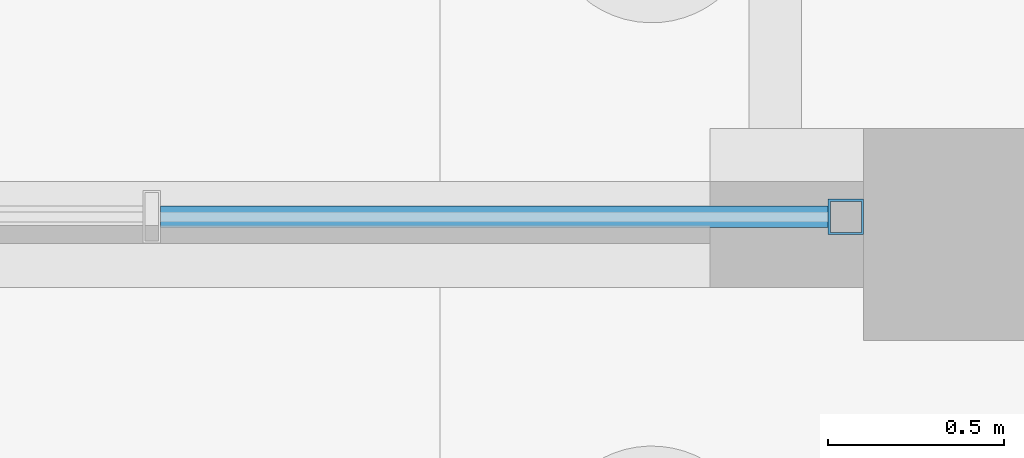
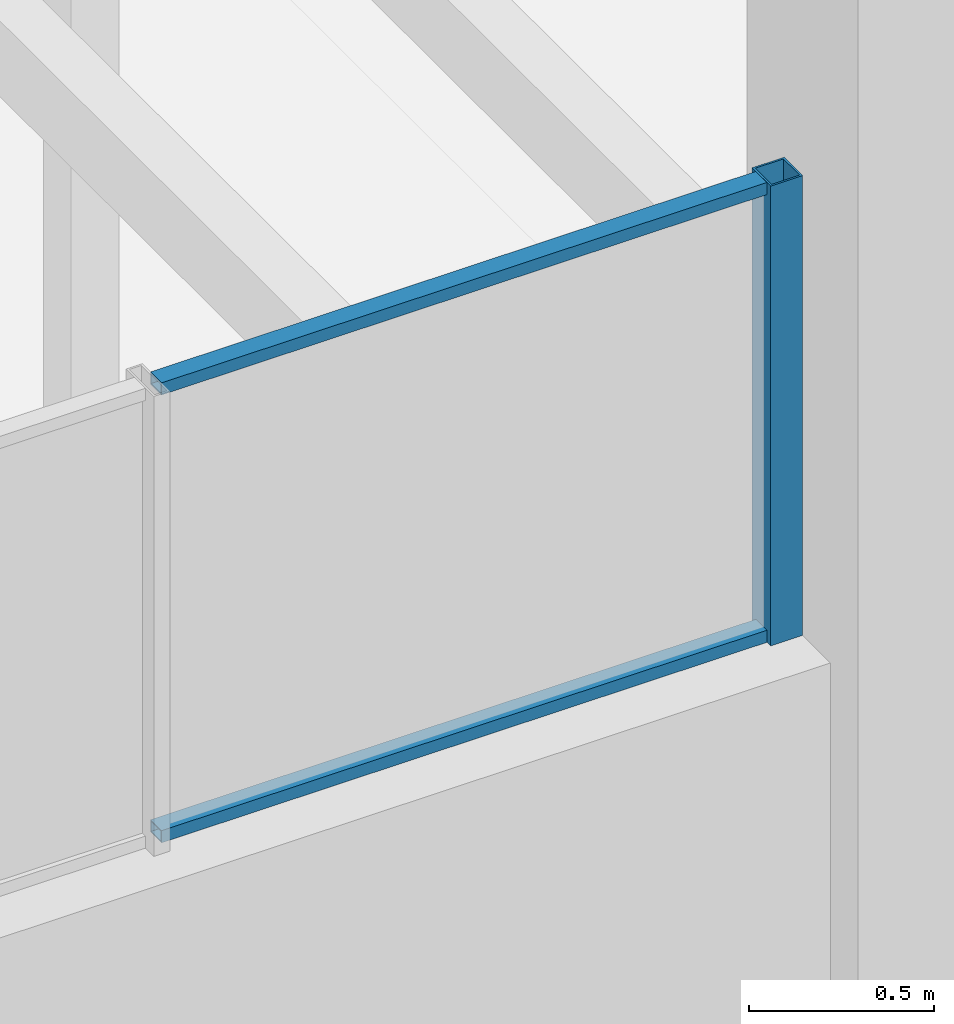
# One storey, part 57 of 129: 3 members, 1 element without a shape of its own.
"""IFC4 building model written with IfcOpenShell, lengths in metres."""

from ifc_helpers import new_model, si_unit, direction, frame, origin, origin_2d, place, context, subcontext, project, spatial, hollow_rectangle, extrude, material, layer, layer_set, material_profile, profile_set, type_object, element, aggregate, save


model = new_model("IFC4")

# Units and contexts
model_context = context("Model", 3, precision=1e-05, world=origin(), true_north=direction((0.0, 1.0)))
body_context = subcontext(model_context, "Body", "Model", "MODEL_VIEW")
ifc_project = project(units=[si_unit("LENGTHUNIT", "METRE"), si_unit("AREAUNIT", "SQUARE_METRE"), si_unit("VOLUMEUNIT", "CUBIC_METRE"), si_unit("PLANEANGLEUNIT", "RADIAN"), si_unit("MASSUNIT", "GRAM", prefix="KILO")], contexts=[model_context])

# Site, building, storey
site_placement = place(None, origin())
site = spatial("IfcSite", under=ifc_project, at=site_placement, CompositionType="ELEMENT")
building_placement = place(site_placement, origin())
building = spatial("IfcBuilding", under=site, at=building_placement, Name="Shirokan Park Arena", CompositionType="ELEMENT")
storey_placement = place(building_placement, origin())
storey = spatial("IfcBuildingStorey", under=building, at=storey_placement, Name="L00", CompositionType="ELEMENT", Elevation=0.0)

# Curtain wall, members
ifc_material_1 = material(Name="Steel and glass curtain wall", Category="steel")
ifc_layer = layer(ifc_material_1, 0.199951171875)
ifc_layer_set = layer_set([ifc_layer], Name="Steel and glass curtain wall 200 mm")
curtain_wall_type = type_object("IfcCurtainWallType", Name="Curtain wall shopfront bay 200", PredefinedType="NOTDEFINED", material=ifc_layer_set)
curtain_wall_placement = place(storey_placement, origin())
curtain_wall = element("IfcCurtainWall", 1, at=curtain_wall_placement, inside=storey, type_object=curtain_wall_type, Name="Curtain wall north bay 8 L00 clerestory 1", PredefinedType="NOTDEFINED")
ifc_material_2 = material(Name="Steel S355", Category="steel")
ifc_material_profile_1 = material_profile(ifc_material_2, hollow_rectangle(XDim=0.10009765625, YDim=0.10009765625, WallThickness=0.006103515625, at=origin_2d()), Name="RHS 100x100x6")
ifc_profile_set_1 = profile_set([ifc_material_profile_1], Name="Steel S355")
member_type_1 = type_object("IfcMemberType", Name="Mullion RHS 100x100x6", PredefinedType="MULLION", material=ifc_profile_set_1)
member_1_placement = place(storey_placement, frame((81.550048828125, 109.25, 3.75), z_axis=(0.0, 0.0, 1.0), x_axis=(0.0, -1.0, 0.0)))
member_1 = element("IfcMember", 2, at=member_1_placement, type_object=member_type_1, Name="CW4 mullion 1", PredefinedType="MULLION", context=body_context, shape_type="SweptSolid", body=[
    extrude(hollow_rectangle(XDim=0.10009765625, YDim=0.10009765625, WallThickness=0.006103515625, at=origin_2d()), origin(), (0.0, 0.0, 1.0), 1.52001953125),
])
ifc_material_profile_2 = material_profile(ifc_material_2, hollow_rectangle(XDim=0.06005859375, YDim=0.0400390625, WallThickness=0.00390625, at=origin_2d()), Name="RHS 60x40x4")
ifc_profile_set_2 = profile_set([ifc_material_profile_2], Name="Steel S355")
member_type_2 = type_object("IfcMemberType", Name="Transom RHS 60x40x4", PredefinedType="MULLION", material=ifc_profile_set_2)
member_2_placement = place(storey_placement, frame((81.5, 109.25, 3.77001953125), z_axis=(-1.0, 0.0, 0.0), x_axis=(0.0, -1.0, 0.0)))
member_2 = element("IfcMember", 3, at=member_2_placement, type_object=member_type_2, Name="CW4 transom 1.1", PredefinedType="MULLION", context=body_context, shape_type="SweptSolid", body=[
    extrude(hollow_rectangle(XDim=0.06005859375, YDim=0.0400390625, WallThickness=0.00390625, at=origin_2d()), origin(), (0.0, 0.0, 1.0), 1.892578125),
])
member_3_placement = place(storey_placement, frame((81.5, 109.25, 5.25), z_axis=(-1.0, 0.0, 0.0), x_axis=(0.0, -1.0, 0.0)))
member_3 = element("IfcMember", 4, at=member_3_placement, type_object=member_type_2, Name="CW4 transom 1.2", PredefinedType="MULLION", context=body_context, shape_type="SweptSolid", body=[
    extrude(hollow_rectangle(XDim=0.06005859375, YDim=0.0400390625, WallThickness=0.00390625, at=origin_2d()), origin(), (0.0, 0.0, 1.0), 1.892578125),
])
aggregate(curtain_wall, [member_1, member_2, member_3])

save(model, "model.ifc")
